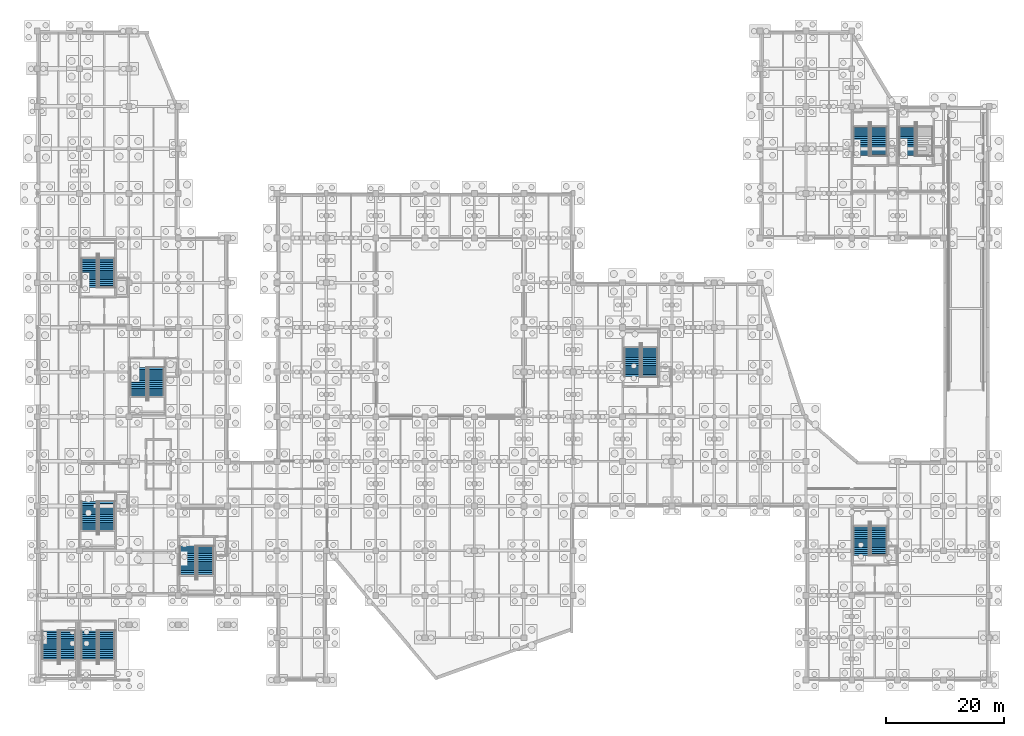
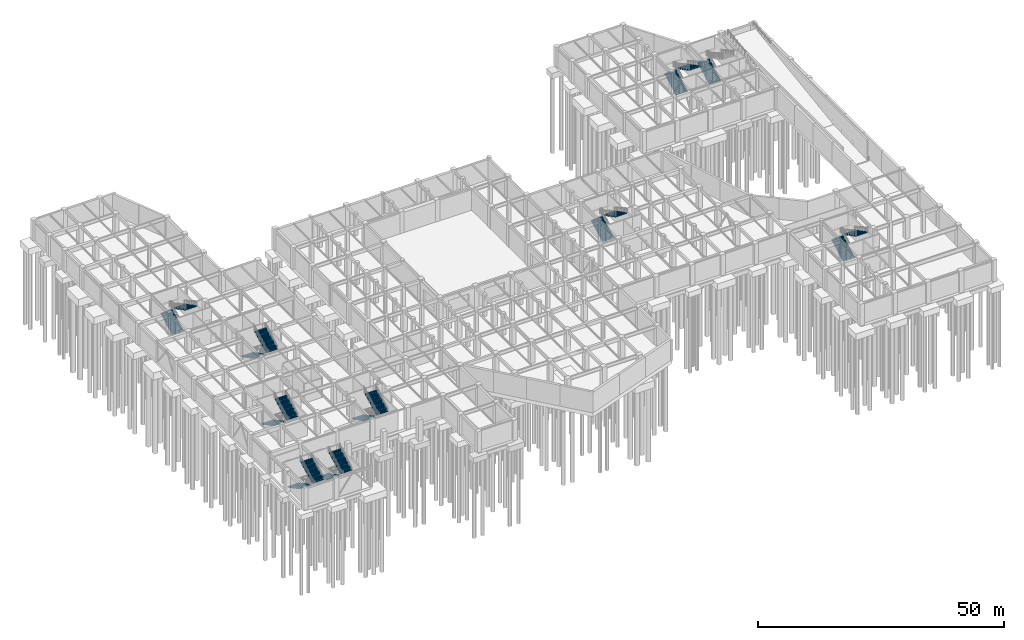
# One storey, part 47 of 52: 19 stair flights, 10 elements without a shape of their own.
"""IFC4 building model written with IfcOpenShell, lengths in metres."""

from ifc_helpers import new_model, si_unit, direction, frame, origin, place, context, subcontext, project, spatial, polyline, outline, extrude, material, type_object, element, aggregate, save


model = new_model("IFC4")

# Units and contexts
model_context = context("Model", 3, precision=1e-05, world=origin(), true_north=direction((0.0, 1.0)))
body_context = subcontext(model_context, "Body", "Model", "MODEL_VIEW")
ifc_project = project(units=[si_unit("LENGTHUNIT", "METRE"), si_unit("AREAUNIT", "SQUARE_METRE"), si_unit("VOLUMEUNIT", "CUBIC_METRE"), si_unit("PLANEANGLEUNIT", "RADIAN"), si_unit("MASSUNIT", "GRAM", prefix="KILO")], contexts=[model_context])

# Site, building, storey
site_placement = place(None, origin())
site = spatial("IfcSite", under=ifc_project, at=site_placement, CompositionType="ELEMENT")
building_placement = place(site_placement, origin())
building = spatial("IfcBuilding", under=site, at=building_placement, Name="Xicomal Pleat Aquarium", CompositionType="ELEMENT")
storey_placement = place(building_placement, frame((0.0, 0.0, -5.39990234375)))
storey = spatial("IfcBuildingStorey", under=building, at=storey_placement, Name="B1", CompositionType="ELEMENT", Elevation=-5.39990234375)

# Stair, stair flights
ifc_material_1 = material(Name="Concrete C35/45", Category="concrete")
stair_type = type_object("IfcStairType", Name="STR-HT-5400-2400", PredefinedType="HALF_TURN_STAIR", material=ifc_material_1)
stair_1_placement = place(storey_placement, origin())
stair_1 = element("IfcStair", 1, at=stair_1_placement, inside=storey, type_object=stair_type, Name="ST-01 fire exit stair B1 to L01", PredefinedType="HALF_TURN_STAIR")
ifc_material_2 = material(Name="Concrete C35/45", Category="concrete")
stair_flight_type = type_object("IfcStairFlightType", Name="STF-5400-2400", PredefinedType="STRAIGHT", material=ifc_material_2)
stair_flight_1_placement = place(storey_placement, frame((11.81005859375, 31.179931640625, 0.0), z_axis=(0.0, 0.0, 1.0), x_axis=(0.0, -1.0, 0.0)))
stair_flight_1 = element("IfcStairFlight", 2, at=stair_flight_1_placement, type_object=stair_flight_type, Name="ST-01 flight 1", NumberOfRisers=16, NumberOfTreads=15, PredefinedType="STRAIGHT", RiserHeight=0.16875, TreadLength=0.322, context=body_context, shape_type="SweptSolid", body=[
    extrude(outline(polyline([(0.0, 0.0), (0.0, 0.168701171875), (0.322021484375, 0.168701171875), (0.322021484375, 0.33740234375), (0.64404296875, 0.33740234375), (0.64404296875, 0.50634765625), (0.966064453125, 0.50634765625), (0.966064453125, 0.675048828125), (1.2880859375, 0.675048828125), (1.2880859375, 0.84375), (1.610107421875, 0.84375), (1.610107421875, 1.012451171875), (1.931884765625, 1.012451171875), (1.931884765625, 1.18115234375), (2.25390625, 1.18115234375), (2.25390625, 1.35009765625), (2.575927734375, 1.35009765625), (2.575927734375, 1.518798828125), (2.89794921875, 1.518798828125), (2.89794921875, 1.6875), (3.219970703125, 1.6875), (3.219970703125, 1.856201171875), (3.5419921875, 1.856201171875), (3.5419921875, 2.02490234375), (3.864013671875, 2.02490234375), (3.864013671875, 2.19384765625), (4.18603515625, 2.19384765625), (4.18603515625, 2.362548828125), (4.508056640625, 2.362548828125), (4.508056640625, 2.53125), (4.830078125, 2.53125), (4.830078125, 2.699951171875), (4.830078125, 2.350830078125), (0.344482421875, 0.0), (0.0, 0.0)])), frame((0.0, 1.3701171875, 0.0), z_axis=(0.0, -1.0, 0.0), x_axis=(1.0, 0.0, 0.0)), (0.0, 0.0, 1.0), 2.739990234375),
])
stair_flight_2_placement = place(storey_placement, frame((14.85009765625, 26.35009765625, 2.699951171875), z_axis=(0.0, 0.0, 1.0), x_axis=(0.0, 1.0, 0.0)))
stair_flight_2 = element("IfcStairFlight", 3, at=stair_flight_2_placement, type_object=stair_flight_type, Name="ST-01 flight 2", NumberOfRisers=16, NumberOfTreads=15, PredefinedType="STRAIGHT", RiserHeight=0.16875, TreadLength=0.322, context=body_context, shape_type="SweptSolid", body=[
    extrude(outline(polyline([(0.0, 0.0), (0.0, 0.168701171875), (0.322021484375, 0.168701171875), (0.322021484375, 0.33740234375), (0.64404296875, 0.33740234375), (0.64404296875, 0.50634765625), (0.966064453125, 0.50634765625), (0.966064453125, 0.675048828125), (1.2880859375, 0.675048828125), (1.2880859375, 0.84375), (1.610107421875, 0.84375), (1.610107421875, 1.012451171875), (1.931884765625, 1.012451171875), (1.931884765625, 1.18115234375), (2.25390625, 1.18115234375), (2.25390625, 1.35009765625), (2.575927734375, 1.35009765625), (2.575927734375, 1.518798828125), (2.89794921875, 1.518798828125), (2.89794921875, 1.6875), (3.219970703125, 1.6875), (3.219970703125, 1.856201171875), (3.5419921875, 1.856201171875), (3.5419921875, 2.02490234375), (3.864013671875, 2.02490234375), (3.864013671875, 2.19384765625), (4.18603515625, 2.19384765625), (4.18603515625, 2.362548828125), (4.508056640625, 2.362548828125), (4.508056640625, 2.53125), (4.830078125, 2.53125), (4.830078125, 2.699951171875), (4.830078125, 2.350830078125), (0.344482421875, 0.0), (0.0, 0.0)])), frame((0.0, 1.3701171875, 0.0), z_axis=(0.0, -1.0, 0.0), x_axis=(1.0, 0.0, 0.0)), (0.0, 0.0, 1.0), 2.739990234375),
])
aggregate(stair_1, [stair_flight_1, stair_flight_2])

stair_2_placement = place(storey_placement, origin())
stair_2 = element("IfcStair", 4, at=stair_2_placement, inside=storey, type_object=stair_type, Name="ST-02 fire exit stair B1 to L01", PredefinedType="HALF_TURN_STAIR")
stair_flight_3_placement = place(storey_placement, frame((28.610107421875, 23.580078125, 0.0), z_axis=(0.0, 0.0, 1.0), x_axis=(0.0, -1.0, 0.0)))
stair_flight_3 = element("IfcStairFlight", 5, at=stair_flight_3_placement, type_object=stair_flight_type, Name="ST-02 flight 1", NumberOfRisers=16, NumberOfTreads=15, PredefinedType="STRAIGHT", RiserHeight=0.16875, TreadLength=0.322, context=body_context, shape_type="SweptSolid", body=[
    extrude(outline(polyline([(0.0, 0.0), (0.0, 0.168701171875), (0.322021484375, 0.168701171875), (0.322021484375, 0.33740234375), (0.64404296875, 0.33740234375), (0.64404296875, 0.50634765625), (0.966064453125, 0.50634765625), (0.966064453125, 0.675048828125), (1.2880859375, 0.675048828125), (1.2880859375, 0.84375), (1.610107421875, 0.84375), (1.610107421875, 1.012451171875), (1.931884765625, 1.012451171875), (1.931884765625, 1.18115234375), (2.25390625, 1.18115234375), (2.25390625, 1.35009765625), (2.575927734375, 1.35009765625), (2.575927734375, 1.518798828125), (2.89794921875, 1.518798828125), (2.89794921875, 1.6875), (3.219970703125, 1.6875), (3.219970703125, 1.856201171875), (3.5419921875, 1.856201171875), (3.5419921875, 2.02490234375), (3.864013671875, 2.02490234375), (3.864013671875, 2.19384765625), (4.18603515625, 2.19384765625), (4.18603515625, 2.362548828125), (4.508056640625, 2.362548828125), (4.508056640625, 2.53125), (4.830078125, 2.53125), (4.830078125, 2.699951171875), (4.830078125, 2.350830078125), (0.344482421875, 0.0), (0.0, 0.0)])), frame((0.0, 1.3701171875, 0.0), z_axis=(0.0, -1.0, 0.0), x_axis=(1.0, 0.0, 0.0)), (0.0, 0.0, 1.0), 2.739990234375),
])
stair_flight_4_placement = place(storey_placement, frame((31.64990234375, 18.75, 2.699951171875), z_axis=(0.0, 0.0, 1.0), x_axis=(0.0, 1.0, 0.0)))
stair_flight_4 = element("IfcStairFlight", 6, at=stair_flight_4_placement, type_object=stair_flight_type, Name="ST-02 flight 2", NumberOfRisers=16, NumberOfTreads=15, PredefinedType="STRAIGHT", RiserHeight=0.16875, TreadLength=0.322, context=body_context, shape_type="SweptSolid", body=[
    extrude(outline(polyline([(0.0, 0.0), (0.0, 0.168701171875), (0.322021484375, 0.168701171875), (0.322021484375, 0.33740234375), (0.64404296875, 0.33740234375), (0.64404296875, 0.50634765625), (0.966064453125, 0.50634765625), (0.966064453125, 0.675048828125), (1.2880859375, 0.675048828125), (1.2880859375, 0.84375), (1.610107421875, 0.84375), (1.610107421875, 1.012451171875), (1.931884765625, 1.012451171875), (1.931884765625, 1.18115234375), (2.25390625, 1.18115234375), (2.25390625, 1.35009765625), (2.575927734375, 1.35009765625), (2.575927734375, 1.518798828125), (2.89794921875, 1.518798828125), (2.89794921875, 1.6875), (3.219970703125, 1.6875), (3.219970703125, 1.856201171875), (3.5419921875, 1.856201171875), (3.5419921875, 2.02490234375), (3.864013671875, 2.02490234375), (3.864013671875, 2.19384765625), (4.18603515625, 2.19384765625), (4.18603515625, 2.362548828125), (4.508056640625, 2.362548828125), (4.508056640625, 2.53125), (4.830078125, 2.53125), (4.830078125, 2.699951171875), (4.830078125, 2.350830078125), (0.344482421875, 0.0), (0.0, 0.0)])), frame((0.0, 1.3701171875, 0.0), z_axis=(0.0, -1.0, 0.0), x_axis=(1.0, 0.0, 0.0)), (0.0, 0.0, 1.0), 2.739990234375),
])
aggregate(stair_2, [stair_flight_3, stair_flight_4])

stair_3_placement = place(storey_placement, origin())
stair_3 = element("IfcStair", 7, at=stair_3_placement, inside=storey, type_object=stair_type, Name="ST-03 fire exit stair B1 to L01", PredefinedType="HALF_TURN_STAIR")
stair_flight_5_placement = place(storey_placement, frame((11.81005859375, 67.6201171875, 0.0), z_axis=(0.0, 0.0, 1.0), x_axis=(0.0, 1.0, 0.0)))
stair_flight_5 = element("IfcStairFlight", 8, at=stair_flight_5_placement, type_object=stair_flight_type, Name="ST-03 flight 1", NumberOfRisers=16, NumberOfTreads=15, PredefinedType="STRAIGHT", RiserHeight=0.16875, TreadLength=0.322, context=body_context, shape_type="SweptSolid", body=[
    extrude(outline(polyline([(0.0, 0.0), (0.0, 0.168701171875), (0.322021484375, 0.168701171875), (0.322021484375, 0.33740234375), (0.64404296875, 0.33740234375), (0.64404296875, 0.50634765625), (0.966064453125, 0.50634765625), (0.966064453125, 0.675048828125), (1.2880859375, 0.675048828125), (1.2880859375, 0.84375), (1.610107421875, 0.84375), (1.610107421875, 1.012451171875), (1.931884765625, 1.012451171875), (1.931884765625, 1.18115234375), (2.25390625, 1.18115234375), (2.25390625, 1.35009765625), (2.575927734375, 1.35009765625), (2.575927734375, 1.518798828125), (2.89794921875, 1.518798828125), (2.89794921875, 1.6875), (3.219970703125, 1.6875), (3.219970703125, 1.856201171875), (3.5419921875, 1.856201171875), (3.5419921875, 2.02490234375), (3.864013671875, 2.02490234375), (3.864013671875, 2.19384765625), (4.18603515625, 2.19384765625), (4.18603515625, 2.362548828125), (4.508056640625, 2.362548828125), (4.508056640625, 2.53125), (4.830078125, 2.53125), (4.830078125, 2.699951171875), (4.830078125, 2.350830078125), (0.344482421875, 0.0), (0.0, 0.0)])), frame((0.0, 1.3701171875, 0.0), z_axis=(0.0, -1.0, 0.0), x_axis=(1.0, 0.0, 0.0)), (0.0, 0.0, 1.0), 2.739990234375),
])
stair_flight_6_placement = place(storey_placement, frame((14.85009765625, 72.449951171875, 2.699951171875), z_axis=(0.0, 0.0, 1.0), x_axis=(0.0, -1.0, 0.0)))
stair_flight_6 = element("IfcStairFlight", 9, at=stair_flight_6_placement, type_object=stair_flight_type, Name="ST-03 flight 2", NumberOfRisers=16, NumberOfTreads=15, PredefinedType="STRAIGHT", RiserHeight=0.16875, TreadLength=0.322, context=body_context, shape_type="SweptSolid", body=[
    extrude(outline(polyline([(0.0, 0.0), (0.0, 0.168701171875), (0.322021484375, 0.168701171875), (0.322021484375, 0.33740234375), (0.64404296875, 0.33740234375), (0.64404296875, 0.50634765625), (0.966064453125, 0.50634765625), (0.966064453125, 0.675048828125), (1.2880859375, 0.675048828125), (1.2880859375, 0.84375), (1.610107421875, 0.84375), (1.610107421875, 1.012451171875), (1.931884765625, 1.012451171875), (1.931884765625, 1.18115234375), (2.25390625, 1.18115234375), (2.25390625, 1.35009765625), (2.575927734375, 1.35009765625), (2.575927734375, 1.518798828125), (2.89794921875, 1.518798828125), (2.89794921875, 1.6875), (3.219970703125, 1.6875), (3.219970703125, 1.856201171875), (3.5419921875, 1.856201171875), (3.5419921875, 2.02490234375), (3.864013671875, 2.02490234375), (3.864013671875, 2.19384765625), (4.18603515625, 2.19384765625), (4.18603515625, 2.362548828125), (4.508056640625, 2.362548828125), (4.508056640625, 2.53125), (4.830078125, 2.53125), (4.830078125, 2.699951171875), (4.830078125, 2.350830078125), (0.344482421875, 0.0), (0.0, 0.0)])), frame((0.0, 1.3701171875, 0.0), z_axis=(0.0, -1.0, 0.0), x_axis=(1.0, 0.0, 0.0)), (0.0, 0.0, 1.0), 2.739990234375),
])
aggregate(stair_3, [stair_flight_5, stair_flight_6])

stair_4_placement = place(storey_placement, origin())
stair_4 = element("IfcStair", 10, at=stair_4_placement, inside=storey, type_object=stair_type, Name="ST-04 fire exit stair B1 to L01", PredefinedType="HALF_TURN_STAIR")
stair_flight_7_placement = place(storey_placement, frame((20.2099609375, 53.97998046875, 0.0), z_axis=(0.0, 0.0, 1.0), x_axis=(0.0, -1.0, 0.0)))
stair_flight_7 = element("IfcStairFlight", 11, at=stair_flight_7_placement, type_object=stair_flight_type, Name="ST-04 flight 1", NumberOfRisers=16, NumberOfTreads=15, PredefinedType="STRAIGHT", RiserHeight=0.16875, TreadLength=0.322, context=body_context, shape_type="SweptSolid", body=[
    extrude(outline(polyline([(0.0, 0.0), (0.0, 0.168701171875), (0.322021484375, 0.168701171875), (0.322021484375, 0.33740234375), (0.64404296875, 0.33740234375), (0.64404296875, 0.50634765625), (0.966064453125, 0.50634765625), (0.966064453125, 0.675048828125), (1.2880859375, 0.675048828125), (1.2880859375, 0.84375), (1.610107421875, 0.84375), (1.610107421875, 1.012451171875), (1.931884765625, 1.012451171875), (1.931884765625, 1.18115234375), (2.25390625, 1.18115234375), (2.25390625, 1.35009765625), (2.575927734375, 1.35009765625), (2.575927734375, 1.518798828125), (2.89794921875, 1.518798828125), (2.89794921875, 1.6875), (3.219970703125, 1.6875), (3.219970703125, 1.856201171875), (3.5419921875, 1.856201171875), (3.5419921875, 2.02490234375), (3.864013671875, 2.02490234375), (3.864013671875, 2.19384765625), (4.18603515625, 2.19384765625), (4.18603515625, 2.362548828125), (4.508056640625, 2.362548828125), (4.508056640625, 2.53125), (4.830078125, 2.53125), (4.830078125, 2.699951171875), (4.830078125, 2.350830078125), (0.344482421875, 0.0), (0.0, 0.0)])), frame((0.0, 1.3701171875, 0.0), z_axis=(0.0, -1.0, 0.0), x_axis=(1.0, 0.0, 0.0)), (0.0, 0.0, 1.0), 2.739990234375),
])
stair_flight_8_placement = place(storey_placement, frame((23.25, 49.14990234375, 2.699951171875), z_axis=(0.0, 0.0, 1.0), x_axis=(0.0, 1.0, 0.0)))
stair_flight_8 = element("IfcStairFlight", 12, at=stair_flight_8_placement, type_object=stair_flight_type, Name="ST-04 flight 2", NumberOfRisers=16, NumberOfTreads=15, PredefinedType="STRAIGHT", RiserHeight=0.16875, TreadLength=0.322, context=body_context, shape_type="SweptSolid", body=[
    extrude(outline(polyline([(0.0, 0.0), (0.0, 0.168701171875), (0.322021484375, 0.168701171875), (0.322021484375, 0.33740234375), (0.64404296875, 0.33740234375), (0.64404296875, 0.50634765625), (0.966064453125, 0.50634765625), (0.966064453125, 0.675048828125), (1.2880859375, 0.675048828125), (1.2880859375, 0.84375), (1.610107421875, 0.84375), (1.610107421875, 1.012451171875), (1.931884765625, 1.012451171875), (1.931884765625, 1.18115234375), (2.25390625, 1.18115234375), (2.25390625, 1.35009765625), (2.575927734375, 1.35009765625), (2.575927734375, 1.518798828125), (2.89794921875, 1.518798828125), (2.89794921875, 1.6875), (3.219970703125, 1.6875), (3.219970703125, 1.856201171875), (3.5419921875, 1.856201171875), (3.5419921875, 2.02490234375), (3.864013671875, 2.02490234375), (3.864013671875, 2.19384765625), (4.18603515625, 2.19384765625), (4.18603515625, 2.362548828125), (4.508056640625, 2.362548828125), (4.508056640625, 2.53125), (4.830078125, 2.53125), (4.830078125, 2.699951171875), (4.830078125, 2.350830078125), (0.344482421875, 0.0), (0.0, 0.0)])), frame((0.0, 1.3701171875, 0.0), z_axis=(0.0, -1.0, 0.0), x_axis=(1.0, 0.0, 0.0)), (0.0, 0.0, 1.0), 2.739990234375),
])
aggregate(stair_4, [stair_flight_7, stair_flight_8])

stair_5_placement = place(storey_placement, origin())
stair_5 = element("IfcStair", 13, at=stair_5_placement, inside=storey, type_object=stair_type, Name="ST-05 fire exit stair B1 to L01", PredefinedType="HALF_TURN_STAIR")
stair_flight_9_placement = place(storey_placement, frame((143.2099609375, 90.02001953125, 0.0), z_axis=(0.0, 0.0, 1.0), x_axis=(0.0, 1.0, 0.0)))
stair_flight_9 = element("IfcStairFlight", 14, at=stair_flight_9_placement, type_object=stair_flight_type, Name="ST-05 flight 1", NumberOfRisers=16, NumberOfTreads=15, PredefinedType="STRAIGHT", RiserHeight=0.16875, TreadLength=0.322, context=body_context, shape_type="SweptSolid", body=[
    extrude(outline(polyline([(0.0, 0.0), (0.0, 0.168701171875), (0.322021484375, 0.168701171875), (0.322021484375, 0.33740234375), (0.64404296875, 0.33740234375), (0.64404296875, 0.50634765625), (0.966064453125, 0.50634765625), (0.966064453125, 0.675048828125), (1.2880859375, 0.675048828125), (1.2880859375, 0.84375), (1.610107421875, 0.84375), (1.610107421875, 1.012451171875), (1.931884765625, 1.012451171875), (1.931884765625, 1.18115234375), (2.25390625, 1.18115234375), (2.25390625, 1.35009765625), (2.575927734375, 1.35009765625), (2.575927734375, 1.518798828125), (2.89794921875, 1.518798828125), (2.89794921875, 1.6875), (3.219970703125, 1.6875), (3.219970703125, 1.856201171875), (3.5419921875, 1.856201171875), (3.5419921875, 2.02490234375), (3.864013671875, 2.02490234375), (3.864013671875, 2.19384765625), (4.18603515625, 2.19384765625), (4.18603515625, 2.362548828125), (4.508056640625, 2.362548828125), (4.508056640625, 2.53125), (4.830078125, 2.53125), (4.830078125, 2.699951171875), (4.830078125, 2.350830078125), (0.344482421875, 0.0), (0.0, 0.0)])), frame((0.0, 1.3701171875, 0.0), z_axis=(0.0, -1.0, 0.0), x_axis=(1.0, 0.0, 0.0)), (0.0, 0.0, 1.0), 2.739990234375),
])
stair_flight_10_placement = place(storey_placement, frame((146.25, 94.85009765625, 2.699951171875), z_axis=(0.0, 0.0, 1.0), x_axis=(0.0, -1.0, 0.0)))
stair_flight_10 = element("IfcStairFlight", 15, at=stair_flight_10_placement, type_object=stair_flight_type, Name="ST-05 flight 2", NumberOfRisers=16, NumberOfTreads=15, PredefinedType="STRAIGHT", RiserHeight=0.16875, TreadLength=0.322, context=body_context, shape_type="SweptSolid", body=[
    extrude(outline(polyline([(0.0, 0.0), (0.0, 0.168701171875), (0.322021484375, 0.168701171875), (0.322021484375, 0.33740234375), (0.64404296875, 0.33740234375), (0.64404296875, 0.50634765625), (0.966064453125, 0.50634765625), (0.966064453125, 0.675048828125), (1.2880859375, 0.675048828125), (1.2880859375, 0.84375), (1.610107421875, 0.84375), (1.610107421875, 1.012451171875), (1.931884765625, 1.012451171875), (1.931884765625, 1.18115234375), (2.25390625, 1.18115234375), (2.25390625, 1.35009765625), (2.575927734375, 1.35009765625), (2.575927734375, 1.518798828125), (2.89794921875, 1.518798828125), (2.89794921875, 1.6875), (3.219970703125, 1.6875), (3.219970703125, 1.856201171875), (3.5419921875, 1.856201171875), (3.5419921875, 2.02490234375), (3.864013671875, 2.02490234375), (3.864013671875, 2.19384765625), (4.18603515625, 2.19384765625), (4.18603515625, 2.362548828125), (4.508056640625, 2.362548828125), (4.508056640625, 2.53125), (4.830078125, 2.53125), (4.830078125, 2.699951171875), (4.830078125, 2.350830078125), (0.344482421875, 0.0), (0.0, 0.0)])), frame((0.0, 1.3701171875, 0.0), z_axis=(0.0, -1.0, 0.0), x_axis=(1.0, 0.0, 0.0)), (0.0, 0.0, 1.0), 2.739990234375),
])
aggregate(stair_5, [stair_flight_9, stair_flight_10])

# Stair, stair flight
stair_6_placement = place(storey_placement, origin())
stair_6 = element("IfcStair", 16, at=stair_6_placement, inside=storey, type_object=stair_type, Name="ST-06 fire exit stair B1 to L01", PredefinedType="HALF_TURN_STAIR")
stair_flight_11_placement = place(storey_placement, frame((151.010009765625, 90.02001953125, 0.0), z_axis=(0.0, 0.0, 1.0), x_axis=(0.0, 1.0, 0.0)))
stair_flight_11 = element("IfcStairFlight", 17, at=stair_flight_11_placement, type_object=stair_flight_type, Name="ST-06 flight 1", NumberOfRisers=16, NumberOfTreads=15, PredefinedType="STRAIGHT", RiserHeight=0.16875, TreadLength=0.322, context=body_context, shape_type="SweptSolid", body=[
    extrude(outline(polyline([(0.0, 0.0), (0.0, 0.168701171875), (0.322021484375, 0.168701171875), (0.322021484375, 0.33740234375), (0.64404296875, 0.33740234375), (0.64404296875, 0.50634765625), (0.966064453125, 0.50634765625), (0.966064453125, 0.675048828125), (1.2880859375, 0.675048828125), (1.2880859375, 0.84375), (1.610107421875, 0.84375), (1.610107421875, 1.012451171875), (1.931884765625, 1.012451171875), (1.931884765625, 1.18115234375), (2.25390625, 1.18115234375), (2.25390625, 1.35009765625), (2.575927734375, 1.35009765625), (2.575927734375, 1.518798828125), (2.89794921875, 1.518798828125), (2.89794921875, 1.6875), (3.219970703125, 1.6875), (3.219970703125, 1.856201171875), (3.5419921875, 1.856201171875), (3.5419921875, 2.02490234375), (3.864013671875, 2.02490234375), (3.864013671875, 2.19384765625), (4.18603515625, 2.19384765625), (4.18603515625, 2.362548828125), (4.508056640625, 2.362548828125), (4.508056640625, 2.53125), (4.830078125, 2.53125), (4.830078125, 2.699951171875), (4.830078125, 2.350830078125), (0.344482421875, 0.0), (0.0, 0.0)])), frame((0.0, 1.3701171875, 0.0), z_axis=(0.0, -1.0, 0.0), x_axis=(1.0, 0.0, 0.0)), (0.0, 0.0, 1.0), 2.739990234375),
])
aggregate(stair_6, [stair_flight_11])

# Stair, stair flights
stair_7_placement = place(storey_placement, origin())
stair_7 = element("IfcStair", 18, at=stair_7_placement, inside=storey, type_object=stair_type, Name="ST-07 fire exit stair B1 to L01", PredefinedType="HALF_TURN_STAIR")
stair_flight_12_placement = place(storey_placement, frame((104.2099609375, 52.419921875, 0.0), z_axis=(0.0, 0.0, 1.0), x_axis=(0.0, 1.0, 0.0)))
stair_flight_12 = element("IfcStairFlight", 19, at=stair_flight_12_placement, type_object=stair_flight_type, Name="ST-07 flight 1", NumberOfRisers=16, NumberOfTreads=15, PredefinedType="STRAIGHT", RiserHeight=0.16875, TreadLength=0.322, context=body_context, shape_type="SweptSolid", body=[
    extrude(outline(polyline([(0.0, 0.0), (0.0, 0.168701171875), (0.322021484375, 0.168701171875), (0.322021484375, 0.33740234375), (0.64404296875, 0.33740234375), (0.64404296875, 0.50634765625), (0.966064453125, 0.50634765625), (0.966064453125, 0.675048828125), (1.2880859375, 0.675048828125), (1.2880859375, 0.84375), (1.610107421875, 0.84375), (1.610107421875, 1.012451171875), (1.931884765625, 1.012451171875), (1.931884765625, 1.18115234375), (2.25390625, 1.18115234375), (2.25390625, 1.35009765625), (2.575927734375, 1.35009765625), (2.575927734375, 1.518798828125), (2.89794921875, 1.518798828125), (2.89794921875, 1.6875), (3.219970703125, 1.6875), (3.219970703125, 1.856201171875), (3.5419921875, 1.856201171875), (3.5419921875, 2.02490234375), (3.864013671875, 2.02490234375), (3.864013671875, 2.19384765625), (4.18603515625, 2.19384765625), (4.18603515625, 2.362548828125), (4.508056640625, 2.362548828125), (4.508056640625, 2.53125), (4.830078125, 2.53125), (4.830078125, 2.699951171875), (4.830078125, 2.350830078125), (0.344482421875, 0.0), (0.0, 0.0)])), frame((0.0, 1.3701171875, 0.0), z_axis=(0.0, -1.0, 0.0), x_axis=(1.0, 0.0, 0.0)), (0.0, 0.0, 1.0), 2.739990234375),
])
stair_flight_13_placement = place(storey_placement, frame((107.25, 57.25, 2.699951171875), z_axis=(0.0, 0.0, 1.0), x_axis=(0.0, -1.0, 0.0)))
stair_flight_13 = element("IfcStairFlight", 20, at=stair_flight_13_placement, type_object=stair_flight_type, Name="ST-07 flight 2", NumberOfRisers=16, NumberOfTreads=15, PredefinedType="STRAIGHT", RiserHeight=0.16875, TreadLength=0.322, context=body_context, shape_type="SweptSolid", body=[
    extrude(outline(polyline([(0.0, 0.0), (0.0, 0.168701171875), (0.322021484375, 0.168701171875), (0.322021484375, 0.33740234375), (0.64404296875, 0.33740234375), (0.64404296875, 0.50634765625), (0.966064453125, 0.50634765625), (0.966064453125, 0.675048828125), (1.2880859375, 0.675048828125), (1.2880859375, 0.84375), (1.610107421875, 0.84375), (1.610107421875, 1.012451171875), (1.931884765625, 1.012451171875), (1.931884765625, 1.18115234375), (2.25390625, 1.18115234375), (2.25390625, 1.35009765625), (2.575927734375, 1.35009765625), (2.575927734375, 1.518798828125), (2.89794921875, 1.518798828125), (2.89794921875, 1.6875), (3.219970703125, 1.6875), (3.219970703125, 1.856201171875), (3.5419921875, 1.856201171875), (3.5419921875, 2.02490234375), (3.864013671875, 2.02490234375), (3.864013671875, 2.19384765625), (4.18603515625, 2.19384765625), (4.18603515625, 2.362548828125), (4.508056640625, 2.362548828125), (4.508056640625, 2.53125), (4.830078125, 2.53125), (4.830078125, 2.699951171875), (4.830078125, 2.350830078125), (0.344482421875, 0.0), (0.0, 0.0)])), frame((0.0, 1.3701171875, 0.0), z_axis=(0.0, -1.0, 0.0), x_axis=(1.0, 0.0, 0.0)), (0.0, 0.0, 1.0), 2.739990234375),
])
aggregate(stair_7, [stair_flight_12, stair_flight_13])

stair_8_placement = place(storey_placement, origin())
stair_8 = element("IfcStair", 21, at=stair_8_placement, inside=storey, type_object=stair_type, Name="ST-08 fire exit stair B1 to L01", PredefinedType="HALF_TURN_STAIR")
stair_flight_14_placement = place(storey_placement, frame((143.2099609375, 22.02001953125, 0.0), z_axis=(0.0, 0.0, 1.0), x_axis=(0.0, 1.0, 0.0)))
stair_flight_14 = element("IfcStairFlight", 22, at=stair_flight_14_placement, type_object=stair_flight_type, Name="ST-08 flight 1", NumberOfRisers=16, NumberOfTreads=15, PredefinedType="STRAIGHT", RiserHeight=0.16875, TreadLength=0.322, context=body_context, shape_type="SweptSolid", body=[
    extrude(outline(polyline([(0.0, 0.0), (0.0, 0.168701171875), (0.322021484375, 0.168701171875), (0.322021484375, 0.33740234375), (0.64404296875, 0.33740234375), (0.64404296875, 0.50634765625), (0.966064453125, 0.50634765625), (0.966064453125, 0.675048828125), (1.2880859375, 0.675048828125), (1.2880859375, 0.84375), (1.610107421875, 0.84375), (1.610107421875, 1.012451171875), (1.931884765625, 1.012451171875), (1.931884765625, 1.18115234375), (2.25390625, 1.18115234375), (2.25390625, 1.35009765625), (2.575927734375, 1.35009765625), (2.575927734375, 1.518798828125), (2.89794921875, 1.518798828125), (2.89794921875, 1.6875), (3.219970703125, 1.6875), (3.219970703125, 1.856201171875), (3.5419921875, 1.856201171875), (3.5419921875, 2.02490234375), (3.864013671875, 2.02490234375), (3.864013671875, 2.19384765625), (4.18603515625, 2.19384765625), (4.18603515625, 2.362548828125), (4.508056640625, 2.362548828125), (4.508056640625, 2.53125), (4.830078125, 2.53125), (4.830078125, 2.699951171875), (4.830078125, 2.350830078125), (0.344482421875, 0.0), (0.0, 0.0)])), frame((0.0, 1.3701171875, 0.0), z_axis=(0.0, -1.0, 0.0), x_axis=(1.0, 0.0, 0.0)), (0.0, 0.0, 1.0), 2.739990234375),
])
stair_flight_15_placement = place(storey_placement, frame((146.25, 26.85009765625, 2.699951171875), z_axis=(0.0, 0.0, 1.0), x_axis=(0.0, -1.0, 0.0)))
stair_flight_15 = element("IfcStairFlight", 23, at=stair_flight_15_placement, type_object=stair_flight_type, Name="ST-08 flight 2", NumberOfRisers=16, NumberOfTreads=15, PredefinedType="STRAIGHT", RiserHeight=0.16875, TreadLength=0.322, context=body_context, shape_type="SweptSolid", body=[
    extrude(outline(polyline([(0.0, 0.0), (0.0, 0.168701171875), (0.322021484375, 0.168701171875), (0.322021484375, 0.33740234375), (0.64404296875, 0.33740234375), (0.64404296875, 0.50634765625), (0.966064453125, 0.50634765625), (0.966064453125, 0.675048828125), (1.2880859375, 0.675048828125), (1.2880859375, 0.84375), (1.610107421875, 0.84375), (1.610107421875, 1.012451171875), (1.931884765625, 1.012451171875), (1.931884765625, 1.18115234375), (2.25390625, 1.18115234375), (2.25390625, 1.35009765625), (2.575927734375, 1.35009765625), (2.575927734375, 1.518798828125), (2.89794921875, 1.518798828125), (2.89794921875, 1.6875), (3.219970703125, 1.6875), (3.219970703125, 1.856201171875), (3.5419921875, 1.856201171875), (3.5419921875, 2.02490234375), (3.864013671875, 2.02490234375), (3.864013671875, 2.19384765625), (4.18603515625, 2.19384765625), (4.18603515625, 2.362548828125), (4.508056640625, 2.362548828125), (4.508056640625, 2.53125), (4.830078125, 2.53125), (4.830078125, 2.699951171875), (4.830078125, 2.350830078125), (0.344482421875, 0.0), (0.0, 0.0)])), frame((0.0, 1.3701171875, 0.0), z_axis=(0.0, -1.0, 0.0), x_axis=(1.0, 0.0, 0.0)), (0.0, 0.0, 1.0), 2.739990234375),
])
aggregate(stair_8, [stair_flight_14, stair_flight_15])

stair_9_placement = place(storey_placement, origin())
stair_9 = element("IfcStair", 24, at=stair_9_placement, inside=storey, type_object=stair_type, Name="ST-09 fire exit stair B1 to L01", PredefinedType="HALF_TURN_STAIR")
stair_flight_16_placement = place(storey_placement, frame((11.81005859375, 9.179931640625, 0.0), z_axis=(0.0, 0.0, 1.0), x_axis=(0.0, -1.0, 0.0)))
stair_flight_16 = element("IfcStairFlight", 25, at=stair_flight_16_placement, type_object=stair_flight_type, Name="ST-09 flight 1", NumberOfRisers=16, NumberOfTreads=15, PredefinedType="STRAIGHT", RiserHeight=0.16875, TreadLength=0.322, context=body_context, shape_type="SweptSolid", body=[
    extrude(outline(polyline([(0.0, 0.0), (0.0, 0.168701171875), (0.322021484375, 0.168701171875), (0.322021484375, 0.33740234375), (0.64404296875, 0.33740234375), (0.64404296875, 0.50634765625), (0.966064453125, 0.50634765625), (0.966064453125, 0.675048828125), (1.2880859375, 0.675048828125), (1.2880859375, 0.84375), (1.610107421875, 0.84375), (1.610107421875, 1.012451171875), (1.931884765625, 1.012451171875), (1.931884765625, 1.18115234375), (2.25390625, 1.18115234375), (2.25390625, 1.35009765625), (2.575927734375, 1.35009765625), (2.575927734375, 1.518798828125), (2.89794921875, 1.518798828125), (2.89794921875, 1.6875), (3.219970703125, 1.6875), (3.219970703125, 1.856201171875), (3.5419921875, 1.856201171875), (3.5419921875, 2.02490234375), (3.864013671875, 2.02490234375), (3.864013671875, 2.19384765625), (4.18603515625, 2.19384765625), (4.18603515625, 2.362548828125), (4.508056640625, 2.362548828125), (4.508056640625, 2.53125), (4.830078125, 2.53125), (4.830078125, 2.699951171875), (4.830078125, 2.350830078125), (0.344482421875, 0.0), (0.0, 0.0)])), frame((0.0, 1.3701171875, 0.0), z_axis=(0.0, -1.0, 0.0), x_axis=(1.0, 0.0, 0.0)), (0.0, 0.0, 1.0), 2.739990234375),
])
stair_flight_17_placement = place(storey_placement, frame((14.85009765625, 4.35009765625, 2.699951171875), z_axis=(0.0, 0.0, 1.0), x_axis=(0.0, 1.0, 0.0)))
stair_flight_17 = element("IfcStairFlight", 26, at=stair_flight_17_placement, type_object=stair_flight_type, Name="ST-09 flight 2", NumberOfRisers=16, NumberOfTreads=15, PredefinedType="STRAIGHT", RiserHeight=0.16875, TreadLength=0.322, context=body_context, shape_type="SweptSolid", body=[
    extrude(outline(polyline([(0.0, 0.0), (0.0, 0.168701171875), (0.322021484375, 0.168701171875), (0.322021484375, 0.33740234375), (0.64404296875, 0.33740234375), (0.64404296875, 0.50634765625), (0.966064453125, 0.50634765625), (0.966064453125, 0.675048828125), (1.2880859375, 0.675048828125), (1.2880859375, 0.84375), (1.610107421875, 0.84375), (1.610107421875, 1.012451171875), (1.931884765625, 1.012451171875), (1.931884765625, 1.18115234375), (2.25390625, 1.18115234375), (2.25390625, 1.35009765625), (2.575927734375, 1.35009765625), (2.575927734375, 1.518798828125), (2.89794921875, 1.518798828125), (2.89794921875, 1.6875), (3.219970703125, 1.6875), (3.219970703125, 1.856201171875), (3.5419921875, 1.856201171875), (3.5419921875, 2.02490234375), (3.864013671875, 2.02490234375), (3.864013671875, 2.19384765625), (4.18603515625, 2.19384765625), (4.18603515625, 2.362548828125), (4.508056640625, 2.362548828125), (4.508056640625, 2.53125), (4.830078125, 2.53125), (4.830078125, 2.699951171875), (4.830078125, 2.350830078125), (0.344482421875, 0.0), (0.0, 0.0)])), frame((0.0, 1.3701171875, 0.0), z_axis=(0.0, -1.0, 0.0), x_axis=(1.0, 0.0, 0.0)), (0.0, 0.0, 1.0), 2.739990234375),
])
aggregate(stair_9, [stair_flight_16, stair_flight_17])

stair_10_placement = place(storey_placement, origin())
stair_10 = element("IfcStair", 27, at=stair_10_placement, inside=storey, type_object=stair_type, Name="ST-10 fire exit stair B1 to L01", PredefinedType="HALF_TURN_STAIR")
stair_flight_18_placement = place(storey_placement, frame((5.169921875, 9.179931640625, 0.0), z_axis=(0.0, 0.0, 1.0), x_axis=(0.0, -1.0, 0.0)))
stair_flight_18 = element("IfcStairFlight", 28, at=stair_flight_18_placement, type_object=stair_flight_type, Name="ST-10 flight 1", NumberOfRisers=16, NumberOfTreads=15, PredefinedType="STRAIGHT", RiserHeight=0.16875, TreadLength=0.322, context=body_context, shape_type="SweptSolid", body=[
    extrude(outline(polyline([(0.0, 0.0), (0.0, 0.168701171875), (0.322021484375, 0.168701171875), (0.322021484375, 0.33740234375), (0.64404296875, 0.33740234375), (0.64404296875, 0.50634765625), (0.966064453125, 0.50634765625), (0.966064453125, 0.675048828125), (1.2880859375, 0.675048828125), (1.2880859375, 0.84375), (1.610107421875, 0.84375), (1.610107421875, 1.012451171875), (1.931884765625, 1.012451171875), (1.931884765625, 1.18115234375), (2.25390625, 1.18115234375), (2.25390625, 1.35009765625), (2.575927734375, 1.35009765625), (2.575927734375, 1.518798828125), (2.89794921875, 1.518798828125), (2.89794921875, 1.6875), (3.219970703125, 1.6875), (3.219970703125, 1.856201171875), (3.5419921875, 1.856201171875), (3.5419921875, 2.02490234375), (3.864013671875, 2.02490234375), (3.864013671875, 2.19384765625), (4.18603515625, 2.19384765625), (4.18603515625, 2.362548828125), (4.508056640625, 2.362548828125), (4.508056640625, 2.53125), (4.830078125, 2.53125), (4.830078125, 2.699951171875), (4.830078125, 2.350830078125), (0.344482421875, 0.0), (0.0, 0.0)])), frame((0.0, 1.3701171875, 0.0), z_axis=(0.0, -1.0, 0.0), x_axis=(1.0, 0.0, 0.0)), (0.0, 0.0, 1.0), 2.739990234375),
])
stair_flight_19_placement = place(storey_placement, frame((8.2099609375, 4.35009765625, 2.699951171875), z_axis=(0.0, 0.0, 1.0), x_axis=(0.0, 1.0, 0.0)))
stair_flight_19 = element("IfcStairFlight", 29, at=stair_flight_19_placement, type_object=stair_flight_type, Name="ST-10 flight 2", NumberOfRisers=16, NumberOfTreads=15, PredefinedType="STRAIGHT", RiserHeight=0.16875, TreadLength=0.322, context=body_context, shape_type="SweptSolid", body=[
    extrude(outline(polyline([(0.0, 0.0), (0.0, 0.168701171875), (0.322021484375, 0.168701171875), (0.322021484375, 0.33740234375), (0.64404296875, 0.33740234375), (0.64404296875, 0.50634765625), (0.966064453125, 0.50634765625), (0.966064453125, 0.675048828125), (1.2880859375, 0.675048828125), (1.2880859375, 0.84375), (1.610107421875, 0.84375), (1.610107421875, 1.012451171875), (1.931884765625, 1.012451171875), (1.931884765625, 1.18115234375), (2.25390625, 1.18115234375), (2.25390625, 1.35009765625), (2.575927734375, 1.35009765625), (2.575927734375, 1.518798828125), (2.89794921875, 1.518798828125), (2.89794921875, 1.6875), (3.219970703125, 1.6875), (3.219970703125, 1.856201171875), (3.5419921875, 1.856201171875), (3.5419921875, 2.02490234375), (3.864013671875, 2.02490234375), (3.864013671875, 2.19384765625), (4.18603515625, 2.19384765625), (4.18603515625, 2.362548828125), (4.508056640625, 2.362548828125), (4.508056640625, 2.53125), (4.830078125, 2.53125), (4.830078125, 2.699951171875), (4.830078125, 2.350830078125), (0.344482421875, 0.0), (0.0, 0.0)])), frame((0.0, 1.3701171875, 0.0), z_axis=(0.0, -1.0, 0.0), x_axis=(1.0, 0.0, 0.0)), (0.0, 0.0, 1.0), 2.739990234375),
])
aggregate(stair_10, [stair_flight_18, stair_flight_19])

save(model, "model.ifc")
